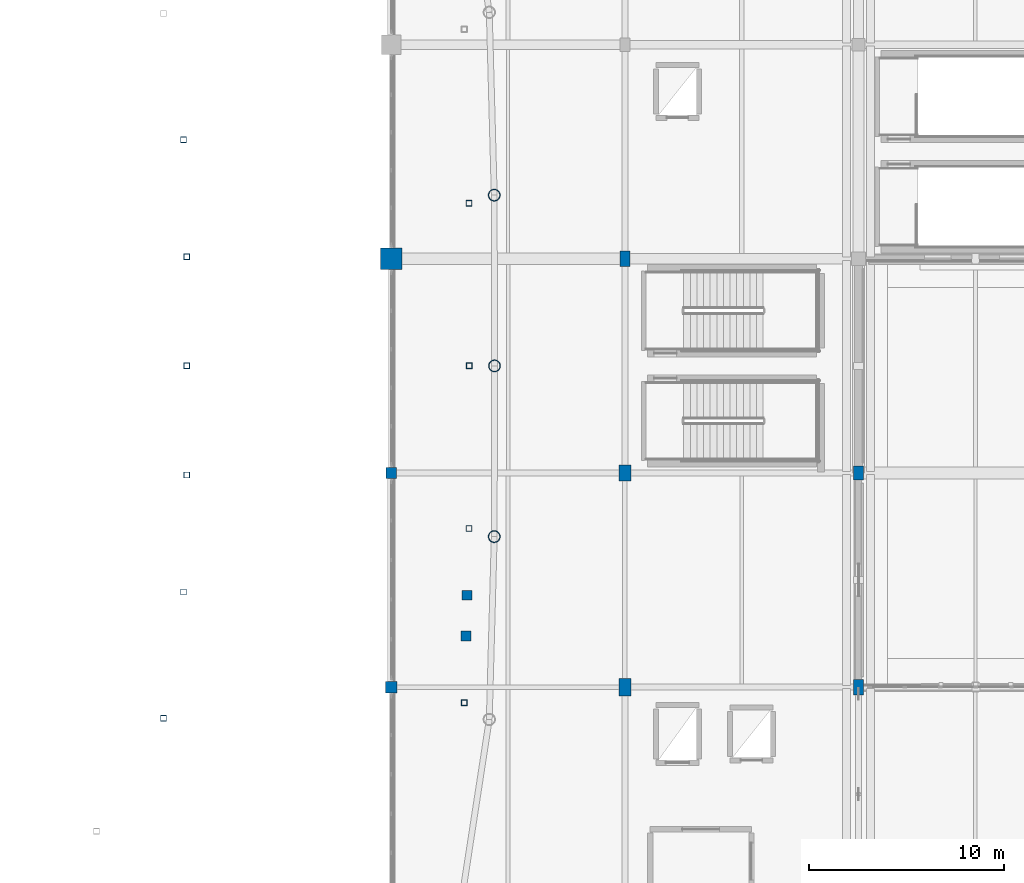
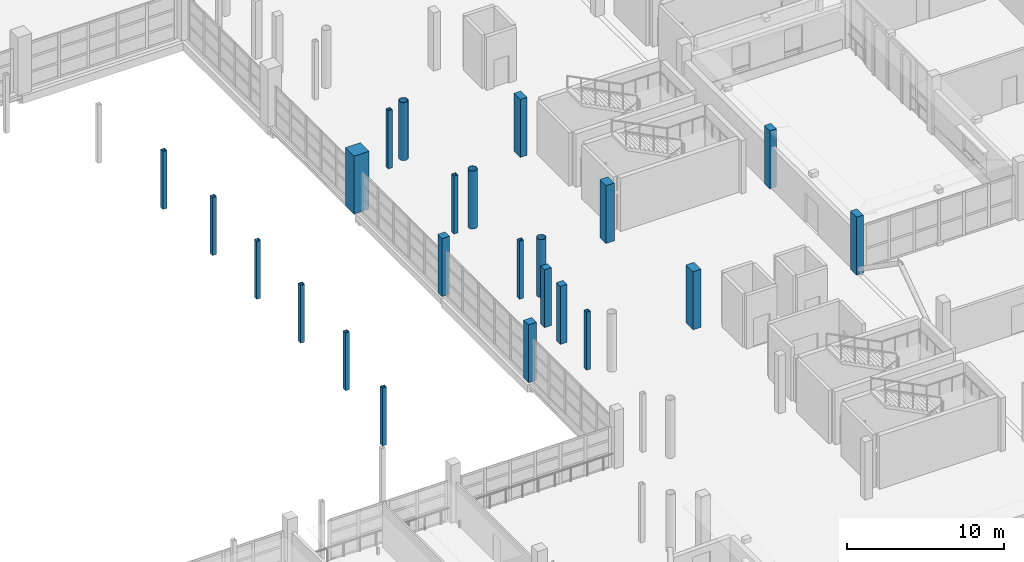
# One storey, part 17 of 118: 23 columns.
"""IFC4 building model written with IfcOpenShell, lengths in metres."""

from ifc_helpers import new_model, si_unit, direction, frame, origin, origin_2d, place, context, subcontext, project, spatial, rectangle, hollow_rectangle, hollow_circle, extrude, material, material_profile, profile_set, type_object, element, save


model = new_model("IFC4")

# Units and contexts
model_context = context("Model", 3, precision=1e-05, world=origin(), true_north=direction((0.0, 1.0)))
body_context = subcontext(model_context, "Body", "Model", "MODEL_VIEW")
ifc_project = project(units=[si_unit("LENGTHUNIT", "METRE"), si_unit("AREAUNIT", "SQUARE_METRE"), si_unit("VOLUMEUNIT", "CUBIC_METRE"), si_unit("PLANEANGLEUNIT", "RADIAN"), si_unit("MASSUNIT", "GRAM", prefix="KILO")], contexts=[model_context])

# Site, building, storey
site_placement = place(None, origin())
site = spatial("IfcSite", under=ifc_project, at=site_placement, CompositionType="ELEMENT")
building_placement = place(site_placement, origin())
building = spatial("IfcBuilding", under=site, at=building_placement, Name="Luwafu Chhajja Arena", CompositionType="ELEMENT")
storey_placement = place(building_placement, frame((0.0, 0.0, 10.199951171875)))
storey = spatial("IfcBuildingStorey", under=building, at=storey_placement, Name="L02", CompositionType="ELEMENT", Elevation=10.199951171875)

# Columns
ifc_material_1 = material(Name="Concrete C35/45", Category="concrete")
ifc_material_profile_1 = material_profile(ifc_material_1, rectangle(XDim=0.5, YDim=0.800048828125, at=origin_2d()), Name="RC 500x800")
ifc_profile_set_1 = profile_set([ifc_material_profile_1], Name="Concrete C35/45")
column_type_1 = type_object("IfcColumnType", Name="BOH Frame Column RC 500x800", PredefinedType="COLUMN", material=ifc_profile_set_1)
for number, where, z_axis, x_axis, name in (
    (1, (152.0, 55.0, 0.0), (0.0, 0.0, 1.0), (1.0, 0.0, 0.0), "L02 Grid Column 14/F"),
    (2, (164.0, 33.0, 0.0), (0.0, 0.0, 1.0), (1.0, 0.0, 0.0), "L02 Grid Column 15/D"),
):
    element("IfcColumn", number, at=place(storey_placement, frame(where, z_axis=z_axis, x_axis=x_axis)), inside=storey, type_object=column_type_1, Name=name, PredefinedType="COLUMN", context=body_context, shape_type="SweptSolid", body=[
        extrude(rectangle(XDim=0.5, YDim=0.800048828125, at=origin_2d()), origin(), (0.0, 0.0, 1.0), 4.5),
    ])
ifc_material_2 = material(Name="Concrete C40/50", Category="concrete")
ifc_material_profile_2 = material_profile(ifc_material_2, rectangle(XDim=1.10009765625, YDim=1.10009765625, at=origin_2d()), Name="RC 1100x1100")
ifc_profile_set_2 = profile_set([ifc_material_profile_2], Name="Concrete C40/50")
column_type_2 = type_object("IfcColumnType", Name="Bowl Rim Mega Column RC 1100", PredefinedType="COLUMN", material=ifc_profile_set_2)
column_1_placement = place(storey_placement, frame((140.0, 55.0, 0.0), z_axis=(0.0, 0.0, 1.0), x_axis=(1.0, 0.0, 0.0)))
element("IfcColumn", 3, at=column_1_placement, inside=storey, type_object=column_type_2, Name="L02 Grid Column 13/F", PredefinedType="COLUMN", context=body_context, shape_type="SweptSolid", body=[
    extrude(rectangle(XDim=1.10009765625, YDim=1.10009765625, at=origin_2d()), origin(), (0.0, 0.0, 1.0), 4.5),
])
ifc_material_profile_3 = material_profile(ifc_material_1, rectangle(XDim=0.550048828125, YDim=0.550048828125, at=origin_2d()), Name="RC 550x550")
ifc_profile_set_3 = profile_set([ifc_material_profile_3], Name="Concrete C35/45")
column_type_3 = type_object("IfcColumnType", Name="Gallery Column RC 550", PredefinedType="COLUMN", material=ifc_profile_set_3)
column_2_placement = place(storey_placement, frame((140.0, 44.0, 0.0), z_axis=(0.0, 0.0, 1.0), x_axis=(1.0, 0.0, 0.0)))
element("IfcColumn", 4, at=column_2_placement, inside=storey, type_object=column_type_3, Name="L02 Grid Column 13/E", PredefinedType="COLUMN", context=body_context, shape_type="SweptSolid", body=[
    extrude(rectangle(XDim=0.550048828125, YDim=0.550048828125, at=origin_2d()), origin(), (0.0, 0.0, 1.0), 4.5),
])
ifc_material_profile_4 = material_profile(ifc_material_1, rectangle(XDim=0.60009765625, YDim=0.60009765625, at=origin_2d()), Name="RC 600x600")
ifc_profile_set_4 = profile_set([ifc_material_profile_4], Name="Concrete C35/45")
column_type_4 = type_object("IfcColumnType", Name="Mezzanine Column RC 600", PredefinedType="COLUMN", material=ifc_profile_set_4)
column_3_placement = place(storey_placement, frame((140.0, 33.0, 0.0), z_axis=(0.0, 0.0, 1.0), x_axis=(1.0, 0.0, 0.0)))
element("IfcColumn", 5, at=column_3_placement, inside=storey, type_object=column_type_4, Name="L02 Grid Column 13/D", PredefinedType="COLUMN", context=body_context, shape_type="SweptSolid", body=[
    extrude(rectangle(XDim=0.60009765625, YDim=0.60009765625, at=origin_2d()), origin(), (0.0, 0.0, 1.0), 4.5),
])
ifc_material_profile_5 = material_profile(ifc_material_1, rectangle(XDim=0.5, YDim=0.5, at=origin_2d()), Name="RC 500x500")
ifc_profile_set_5 = profile_set([ifc_material_profile_5], Name="Concrete C35/45")
column_type_5 = type_object("IfcColumnType", Name="Pavilion Column RC 500", PredefinedType="COLUMN", material=ifc_profile_set_5)
for number, where, z_axis, x_axis, name in (
    (6, (143.834716796875, 35.626220703125, 0.0), (0.0, 0.0, 1.0), (1.0, 0.0, 0.0), "L02 Vomitory Stack Column VU31A"),
    (7, (143.892822265625, 37.725341796875, 0.0), (0.0, 0.0, 1.0), (1.0, 0.0, 0.0), "L02 Vomitory Stack Column VU31B"),
):
    element("IfcColumn", number, at=place(storey_placement, frame(where, z_axis=z_axis, x_axis=x_axis)), inside=storey, type_object=column_type_5, Name=name, PredefinedType="COLUMN", context=body_context, shape_type="SweptSolid", body=[
        extrude(rectangle(XDim=0.5, YDim=0.5, at=origin_2d()), origin(), (0.0, 0.0, 1.0), 4.5),
    ])
ifc_material_profile_6 = material_profile(ifc_material_1, rectangle(XDim=0.5, YDim=0.699951171875, at=origin_2d()), Name="RC 500x700")
ifc_profile_set_6 = profile_set([ifc_material_profile_6], Name="Concrete C35/45")
column_type_6 = type_object("IfcColumnType", Name="Perimeter Pilaster Column RC 500x700", PredefinedType="COLUMN", material=ifc_profile_set_6)
column_4_placement = place(storey_placement, frame((164.0, 44.0, 0.0), z_axis=(0.0, 0.0, 1.0), x_axis=(1.0, 0.0, 0.0)))
element("IfcColumn", 8, at=column_4_placement, inside=storey, type_object=column_type_6, Name="L02 Grid Column 15/E", PredefinedType="COLUMN", context=body_context, shape_type="SweptSolid", body=[
    extrude(rectangle(XDim=0.5, YDim=0.699951171875, at=origin_2d()), origin(), (0.0, 0.0, 1.0), 4.5),
])
ifc_material_profile_7 = material_profile(ifc_material_2, rectangle(XDim=0.60009765625, YDim=0.800048828125, at=origin_2d()), Name="RC 600x800")
ifc_profile_set_7 = profile_set([ifc_material_profile_7], Name="Concrete C40/50")
column_type_7 = type_object("IfcColumnType", Name="Pishtaq Pier Column RC 600x800", PredefinedType="COLUMN", material=ifc_profile_set_7)
column_5_placement = place(storey_placement, frame((152.0, 44.0, 0.0), z_axis=(0.0, 0.0, 1.0), x_axis=(1.0, 0.0, 0.0)))
element("IfcColumn", 9, at=column_5_placement, inside=storey, type_object=column_type_7, Name="L02 Grid Column 14/E", PredefinedType="COLUMN", context=body_context, shape_type="SweptSolid", body=[
    extrude(rectangle(XDim=0.60009765625, YDim=0.800048828125, at=origin_2d()), origin(), (0.0, 0.0, 1.0), 4.5),
])
ifc_material_3 = material(Name="Steel S355", Category="steel")
ifc_material_profile_8 = material_profile(ifc_material_3, hollow_circle(Radius=0.304931640625, WallThickness=0.02490234375, at=origin_2d()), Name="CHS 610x25")
ifc_profile_set_8 = profile_set([ifc_material_profile_8], Name="Steel S355")
column_type_8 = type_object("IfcColumnType", Name="Steel Bowl Drum Column CHS 610", PredefinedType="COLUMN", material=ifc_profile_set_8)
for number, where, z_axis, x_axis, name in (
    (10, (145.300048828125, 49.5, 0.0), (0.0, 0.0, 1.0), (1.0, 0.0, 0.0), "L02 Bowl Drum Column D01"),
    (11, (145.28759765625, 58.269775390625, 0.0), (0.0, 0.0, 1.0), (1.0, 0.0, 0.0), "L02 Bowl Drum Column D02"),
    (12, (145.28759765625, 40.730224609375, 0.0), (0.0, 0.0, 1.0), (1.0, 0.0, 0.0), "L02 Bowl Drum Column D32"),
):
    element("IfcColumn", number, at=place(storey_placement, frame(where, z_axis=z_axis, x_axis=x_axis)), inside=storey, type_object=column_type_8, Name=name, PredefinedType="COLUMN", context=body_context, shape_type="SweptSolid", body=[
        extrude(hollow_circle(Radius=0.304931640625, WallThickness=0.02490234375, at=origin_2d()), origin(), (0.0, 0.0, 1.0), 4.5),
    ])
ifc_material_profile_9 = material_profile(ifc_material_3, hollow_rectangle(XDim=0.300048828125, YDim=0.300048828125, WallThickness=0.01611328125, at=origin_2d()), Name="SHS 300x300x16")
ifc_profile_set_9 = profile_set([ifc_material_profile_9], Name="Steel S355")
column_type_9 = type_object("IfcColumnType", Name="Steel Gallery Post SHS 300", PredefinedType="COLUMN", material=ifc_profile_set_9)
for number, where, z_axis, x_axis, name in (
    (13, (129.5, 49.5, 0.0), (0.0, 0.0, 1.0), (1.0, 0.0, 0.0), "L02 Upper Bowl Raker Column UI01"),
    (14, (129.49169921875, 55.10791015625, 0.0), (0.0, 0.0, 1.0), (1.0, 0.0, 0.0), "L02 Upper Bowl Raker Column UI02"),
    (15, (129.323486328125, 61.11328125, 0.0), (0.0, 0.0, 1.0), (1.0, 0.0, 0.0), "L02 Upper Bowl Raker Column UI03"),
    (16, (128.298583984375, 31.399658203125, 0.0), (0.0, 0.0, 1.0), (1.0, 0.0, 0.0), "L02 Upper Bowl Raker Column UI30"),
    (17, (129.323486328125, 37.88671875, 0.0), (0.0, 0.0, 1.0), (1.0, 0.0, 0.0), "L02 Upper Bowl Raker Column UI31"),
    (18, (129.49169921875, 43.89208984375, 0.0), (0.0, 0.0, 1.0), (1.0, 0.0, 0.0), "L02 Upper Bowl Raker Column UI32"),
    (19, (144.0, 49.5, 0.0), (0.0, 0.0, 1.0), (1.0, 0.0, 0.0), "L02 Upper Bowl Raker Column UO01"),
    (20, (143.98779296875, 57.85205078125, 0.0), (0.0, 0.0, 1.0), (1.0, 0.0, 0.0), "L02 Upper Bowl Raker Column UO02"),
    (21, (143.739501953125, 32.20361328125, 0.0), (0.0, 0.0, 1.0), (1.0, 0.0, 0.0), "L02 Upper Bowl Raker Column UO31"),
    (22, (143.98779296875, 41.14794921875, 0.0), (0.0, 0.0, 1.0), (1.0, 0.0, 0.0), "L02 Upper Bowl Raker Column UO32"),
):
    element("IfcColumn", number, at=place(storey_placement, frame(where, z_axis=z_axis, x_axis=x_axis)), inside=storey, type_object=column_type_9, Name=name, PredefinedType="COLUMN", context=body_context, shape_type="SweptSolid", body=[
        extrude(hollow_rectangle(XDim=0.300048828125, YDim=0.300048828125, WallThickness=0.01611328125, at=origin_2d()), origin(), (0.0, 0.0, 1.0), 4.5),
    ])
ifc_material_profile_10 = material_profile(ifc_material_2, rectangle(XDim=0.60009765625, YDim=0.89990234375, at=origin_2d()), Name="RC 600x900")
ifc_profile_set_10 = profile_set([ifc_material_profile_10], Name="Concrete C40/50")
column_type_10 = type_object("IfcColumnType", Name="Warm-Up Hall Portal Column RC 600x900", PredefinedType="COLUMN", material=ifc_profile_set_10)
column_6_placement = place(storey_placement, frame((152.0, 33.0, 0.0), z_axis=(0.0, 0.0, 1.0), x_axis=(1.0, 0.0, 0.0)))
element("IfcColumn", 23, at=column_6_placement, inside=storey, type_object=column_type_10, Name="L02 Grid Column 14/D", PredefinedType="COLUMN", context=body_context, shape_type="SweptSolid", body=[
    extrude(rectangle(XDim=0.60009765625, YDim=0.89990234375, at=origin_2d()), origin(), (0.0, 0.0, 1.0), 4.5),
])

save(model, "model.ifc")
